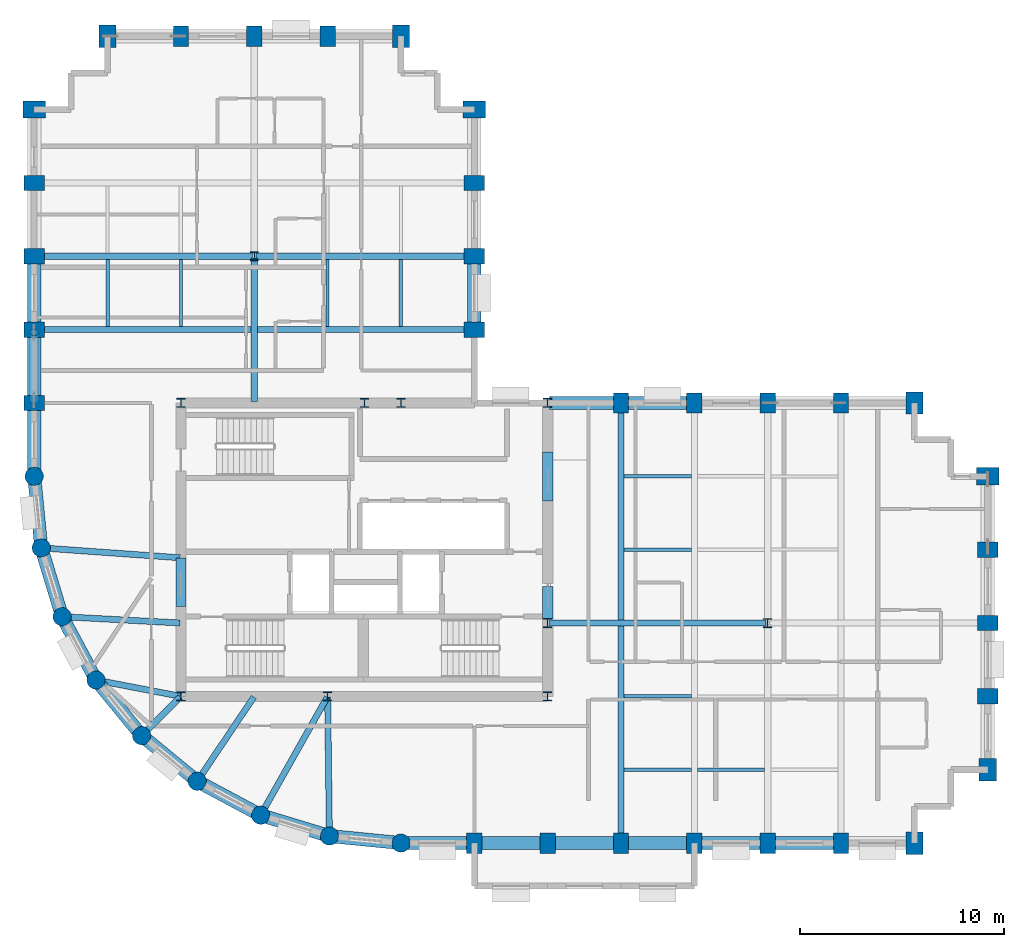
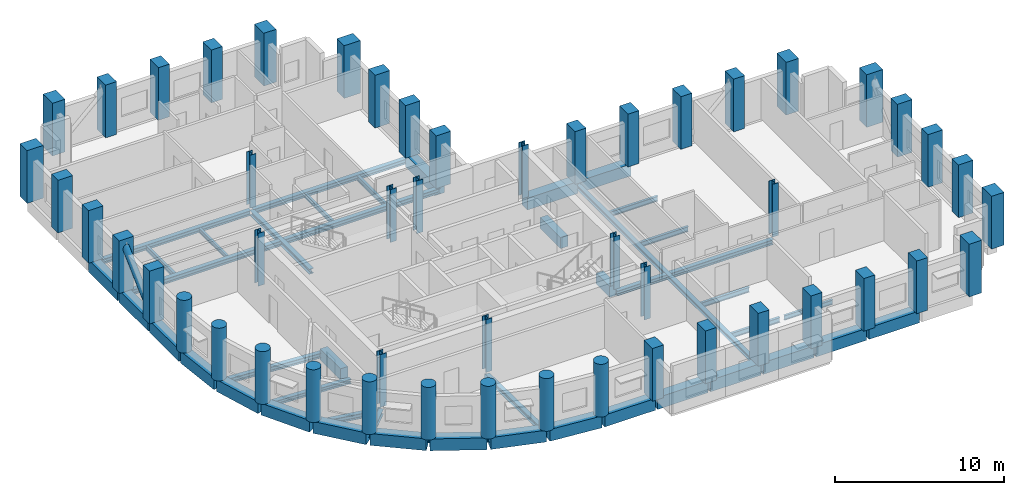
# One storey, part 1 of 11: 50 columns, 45 beams, 1 member.
"""IFC4 building model written with IfcOpenShell, lengths in metres."""

import ifcopenshell
import ifcopenshell.guid

model = None  # the IFC model being written
_history = None  # IfcOwnerHistory: only IFC2X3 demands one
_inside = {}  # id of a spatial element -> (the spatial element, [elements in it])
_under = {}  # id of a project, library or spatial element -> (it, [spatial elements below it])
_declared = {}  # id of a project -> (the project, [libraries it declares])
_typed = {}  # id of a type object -> (the type object, [elements of that type])
_made_of = {}  # id of a material, layer set ... -> (it, [elements and type objects made of it])


def new_model(schema):
    """Start an empty IFC model of exactly this schema.

    Asked for "IFC4X3", IfcOpenShell would pick the latest addendum, in which some entities
    have other attributes; the version numbers below select the first issue.
    IFC2X3 requires an IfcOwnerHistory on every rooted entity: one is made here for all.
    """
    global model, _history
    if schema == "IFC4X3":
        model = ifcopenshell.file(schema_version=(4, 3, 0, 0))
    else:
        model = ifcopenshell.file(schema=schema)
    _inside.clear()
    _under.clear()
    _declared.clear()
    _typed.clear()
    _made_of.clear()
    _history = None
    if model.schema == "IFC2X3":
        org = make("IfcOrganization", Name="unknown")
        user = make(
            "IfcPersonAndOrganization",
            ThePerson=make("IfcPerson", FamilyName="unknown"),
            TheOrganization=org,
        )
        app = make(
            "IfcApplication",
            ApplicationDeveloper=org,
            Version="unknown",
            ApplicationFullName="unknown",
            ApplicationIdentifier="unknown",
        )
        _history = make(
            "IfcOwnerHistory",
            OwningUser=user,
            OwningApplication=app,
            ChangeAction="ADDED",
            CreationDate=0,
        )
    return model


def make(cls, **values):
    """One entity of the class cls with the attributes given. An attribute that is None is left unset."""
    return model.create_entity(
        cls, **{name: value for name, value in values.items() if value is not None}
    )


def rooted(cls, **values):
    """An entity with a GlobalId (a new one), such as an element, a storey or a relation."""
    return make(cls, GlobalId=ifcopenshell.guid.new(), OwnerHistory=_history, **values)


def si_unit(unit_type, name, prefix=None):
    """IfcSIUnit, for example si_unit("LENGTHUNIT", "METRE", prefix="MILLI")."""
    return make("IfcSIUnit", UnitType=unit_type, Prefix=prefix, Name=name)


def assignment(units):
    """IfcUnitAssignment: the units of a project."""
    return None if units is None else make("IfcUnitAssignment", Units=units)


def point(xyz):
    """IfcCartesianPoint."""
    return None if xyz is None else make("IfcCartesianPoint", Coordinates=xyz)


def direction(xyz):
    """IfcDirection."""
    return None if xyz is None else make("IfcDirection", DirectionRatios=xyz)


def frame(location, z_axis=None, x_axis=None):
    """IfcAxis2Placement3D, a coordinate frame: its origin and axes. An axis left out is left unset."""
    return make(
        "IfcAxis2Placement3D",
        Location=point(location),
        Axis=direction(z_axis),
        RefDirection=direction(x_axis),
    )


def frame_2d(location, x_axis=None):
    """IfcAxis2Placement2D, a coordinate frame in the plane: its origin and x axis."""
    return make(
        "IfcAxis2Placement2D", Location=point(location), RefDirection=direction(x_axis)
    )


def origin():
    """The frame at (0, 0, 0) with its axes left unset."""
    return frame((0.0, 0.0, 0.0))


def origin_2d():
    """The frame at (0, 0) in the plane with its x axis left unset."""
    return frame_2d((0.0, 0.0))


def place(relative_to, where):
    """IfcLocalPlacement: puts the frame where relative to a parent placement (None: the world)."""
    return make(
        "IfcLocalPlacement", PlacementRelTo=relative_to, RelativePlacement=where
    )


def context(
    kind, dimensions, precision=None, world=None, true_north=None, identifier=None
):
    """IfcGeometricRepresentationContext, for example the 3D "Model" context."""
    return make(
        "IfcGeometricRepresentationContext",
        ContextIdentifier=identifier,
        ContextType=kind,
        CoordinateSpaceDimension=dimensions,
        Precision=precision,
        WorldCoordinateSystem=world,
        TrueNorth=true_north,
    )


def subcontext(parent, identifier, kind, view, scale=None):
    """IfcGeometricRepresentationSubContext, for example "Body" below "Model"."""
    return make(
        "IfcGeometricRepresentationSubContext",
        ContextIdentifier=identifier,
        ContextType=kind,
        ParentContext=parent,
        TargetScale=scale,
        TargetView=view,
    )


def project(units=None, contexts=None):
    """IfcProject with its units and contexts."""
    return rooted(
        "IfcProject",
        Name="project",
        RepresentationContexts=contexts,
        UnitsInContext=assignment(units),
    )


def spatial(cls, under=None, at=None, **own):
    """A site, building, storey or space (cls), placed at a placement, below another one or the project."""
    s = rooted(cls, ObjectPlacement=at, **own)
    if under is not None:
        _under.setdefault(under.id(), (under, []))[1].append(s)
    return s


def profile(cls, at=None, kind="AREA", **sizes):
    """A parametric profile (cls). Its sizes go by their IFC names, for example OverallWidth=200.0."""
    return make(cls, ProfileType=kind, Position=at, **sizes)


def rectangle(**sizes):
    """IfcRectangleProfileDef."""
    return profile("IfcRectangleProfileDef", **sizes)


def circle(**sizes):
    """IfcCircleProfileDef."""
    return profile("IfcCircleProfileDef", **sizes)


def hollow_circle(**sizes):
    """IfcCircleHollowProfileDef."""
    return profile("IfcCircleHollowProfileDef", **sizes)


def i_section(**sizes):
    """IfcIShapeProfileDef."""
    return profile("IfcIShapeProfileDef", **sizes)


def extrude(swept, where, along, depth):
    """IfcExtrudedAreaSolid: the profile swept, set in the frame where, extruded along a direction by depth."""
    return make(
        "IfcExtrudedAreaSolid",
        SweptArea=swept,
        Position=where,
        ExtrudedDirection=direction(along),
        Depth=depth,
    )


def shape(context_of_items, identifier, shape_type, items):
    """IfcShapeRepresentation: the items that make up one representation, for example the "Body"."""
    return make(
        "IfcShapeRepresentation",
        ContextOfItems=context_of_items,
        RepresentationIdentifier=identifier,
        RepresentationType=shape_type,
        Items=items,
    )


def material(Name=None, Category=None):
    """IfcMaterial."""
    return make("IfcMaterial", Name=Name, Category=Category)


def material_profile(
    of_material, cross_section, Name=None, Category=None, Priority=None
):
    """IfcMaterialProfile: a cross section and its material."""
    return make(
        "IfcMaterialProfile",
        Name=Name,
        Material=of_material,
        Profile=cross_section,
        Priority=Priority,
        Category=Category,
    )


def profile_set(profiles, Name=None, composite=None):
    """IfcMaterialProfileSet."""
    return make(
        "IfcMaterialProfileSet",
        Name=Name,
        MaterialProfiles=profiles,
        CompositeProfile=composite,
    )


def made_of(thing, what):
    """Note that an element or type object is made of a material, layer set ...; save() writes the relation."""
    if what is not None:
        _made_of.setdefault(what.id(), (what, []))[1].append(thing)
    return thing


def type_object(cls, material=None, **own):
    """A type object (cls), such as IfcWallType, which elements share."""
    return made_of(rooted(cls, **own), material)


def element(
    cls,
    number,
    at=None,
    inside=None,
    cuts=None,
    type_object=None,
    material=None,
    context=None,
    identifier="Body",
    shape_type=None,
    held_by="IfcProductDefinitionShape",
    body=None,
    shapes=None,
    **own,
):
    """One element of the class cls, such as IfcWall. Its Tag is "e" and its number.

    at: its placement. inside: the storey or other place that contains it. cuts: it is an
    opening in that element (IfcRelVoidsElement). A single representation is given by context,
    identifier, shape_type and body (its items); several are given by shapes. held_by: the class
    of the entity that holds the representations. save() writes the other relations.
    """
    e = rooted(cls, Tag="e%d" % number, ObjectPlacement=at, **own)
    if body is not None:
        shapes = [shape(context, identifier, shape_type, body)]
    if shapes is not None:
        e.Representation = make(held_by, Representations=shapes)
    if inside is not None:
        _inside.setdefault(inside.id(), (inside, []))[1].append(e)
    if cuts is not None:
        rooted(
            "IfcRelVoidsElement", RelatingBuildingElement=cuts, RelatedOpeningElement=e
        )
    if type_object is not None:
        _typed.setdefault(type_object.id(), (type_object, []))[1].append(e)
    return made_of(e, material)


def aggregate(whole, parts):
    """IfcRelAggregates: a whole, such as a stair, and the parts it consists of."""
    return rooted("IfcRelAggregates", RelatingObject=whole, RelatedObjects=parts)


def save(model, path):
    """Write the relations noted so far, then the file.

    IfcRelAggregates (storeys below a building ...), IfcRelContainedInSpatialStructure (elements
    in a storey), IfcRelDefinesByType, IfcRelAssociatesMaterial and IfcRelDeclares: one each for
    every whole, place, type object, material and project.
    """
    for whole, parts in _under.values():
        aggregate(whole, parts)
    for where, things in _inside.values():
        rooted(
            "IfcRelContainedInSpatialStructure",
            RelatedElements=things,
            RelatingStructure=where,
        )
    for kind, things in _typed.values():
        rooted("IfcRelDefinesByType", RelatedObjects=things, RelatingType=kind)
    for what, things in _made_of.values():
        rooted("IfcRelAssociatesMaterial", RelatedObjects=things, RelatingMaterial=what)
    for by, libraries in _declared.values():
        rooted("IfcRelDeclares", RelatingContext=by, RelatedDefinitions=libraries)
    model.write(path)


model = new_model("IFC4")

# Units and contexts
model_context = context("Model", 3, precision=1e-05, world=origin(), true_north=direction((0.0, 1.0)))
body_context = subcontext(model_context, "Body", "Model", "MODEL_VIEW")
ifc_project = project(units=[si_unit("LENGTHUNIT", "METRE"), si_unit("AREAUNIT", "SQUARE_METRE"), si_unit("VOLUMEUNIT", "CUBIC_METRE"), si_unit("PLANEANGLEUNIT", "RADIAN"), si_unit("MASSUNIT", "GRAM", prefix="KILO")], contexts=[model_context])

# Site, building, storey
site_placement = place(None, origin())
site = spatial("IfcSite", under=ifc_project, at=site_placement, CompositionType="ELEMENT")
building_placement = place(site_placement, origin())
building = spatial("IfcBuilding", under=site, at=building_placement, Name="Solnavia Interchange Tower", CompositionType="ELEMENT")
storey_placement = place(building_placement, frame((0.0, 0.0, 165.60009765625)))
storey = spatial("IfcBuildingStorey", under=building, at=storey_placement, Name="L41", CompositionType="ELEMENT", Elevation=165.60009765625)

# Columns
ifc_material_1 = material(Name="Concrete C50/60", Category="concrete")
ifc_material_profile_1 = material_profile(ifc_material_1, rectangle(XDim=0.75, YDim=1.0, at=origin_2d()), Name="RC 1000x750")
ifc_profile_set_1 = profile_set([ifc_material_profile_1], Name="Concrete C50/60")
column_type_1 = type_object("IfcColumnType", Name="Col-RC-1000x750", PredefinedType="COLUMN", material=ifc_profile_set_1)
for number, where, z_axis, x_axis, name in (
    (1, (7.199951171875, 25.199951171875, 0.0), (0.0, 0.0, 1.0), (0.0, 1.0, 0.0), "COL-L41-02 Tower perim y column"),
    (2, (7.199951171875, 28.800048828125, 0.0), (0.0, 0.0, 1.0), (0.0, 1.0, 0.0), "COL-L41-03 Tower perim y column"),
    (3, (7.199951171875, 32.39990234375, 0.0), (0.0, 0.0, 1.0), (0.0, 1.0, 0.0), "COL-L41-04 Tower perim y column"),
    (4, (7.199951171875, 36.0, 0.0), (0.0, 0.0, 1.0), (0.0, 1.0, 0.0), "COL-L41-05 Tower perim y column"),
    (5, (14.39990234375, 43.199951171875, 0.0), (0.0, 0.0, 1.0), (1.0, 0.0, 0.0), "COL-L41-14 Tower perim x column"),
    (6, (18.0, 43.199951171875, 0.0), (0.0, 0.0, 1.0), (1.0, 0.0, 0.0), "COL-L41-17 Tower perim x column"),
    (7, (21.60009765625, 43.199951171875, 0.0), (0.0, 0.0, 1.0), (1.0, 0.0, 0.0), "COL-L41-20 Tower perim x column"),
    (8, (28.800048828125, 3.60009765625, 0.0), (0.0, 0.0, 1.0), (1.0, 0.0, 0.0), "COL-L41-26 Tower perim x column"),
    (9, (28.800048828125, 28.800048828125, 0.0), (0.0, 0.0, 1.0), (0.0, 1.0, 0.0), "COL-L41-27 Tower perim y column"),
    (10, (28.800048828125, 32.39990234375, 0.0), (0.0, 0.0, 1.0), (0.0, 1.0, 0.0), "COL-L41-28 Tower perim y column"),
    (11, (28.800048828125, 36.0, 0.0), (0.0, 0.0, 1.0), (0.0, 1.0, 0.0), "COL-L41-29 Tower perim y column"),
    (12, (32.39990234375, 3.60009765625, 0.0), (0.0, 0.0, 1.0), (1.0, 0.0, 0.0), "COL-L41-31 Tower perim x column"),
    (13, (36.0, 3.60009765625, 0.0), (0.0, 0.0, 1.0), (1.0, 0.0, 0.0), "COL-L41-35 Tower perim x column"),
    (14, (36.0, 25.199951171875, 0.0), (0.0, 0.0, 1.0), (1.0, 0.0, 0.0), "COL-L41-36 Tower perim x column"),
    (15, (39.60009765625, 3.60009765625, 0.0), (0.0, 0.0, 1.0), (1.0, 0.0, 0.0), "COL-L41-37 Tower perim x column"),
    (16, (39.60009765625, 25.199951171875, 0.0), (0.0, 0.0, 1.0), (1.0, 0.0, 0.0), "COL-L41-38 Tower perim x column"),
    (17, (43.199951171875, 3.60009765625, 0.0), (0.0, 0.0, 1.0), (1.0, 0.0, 0.0), "COL-L41-39 Tower perim x column"),
    (18, (43.199951171875, 25.199951171875, 0.0), (0.0, 0.0, 1.0), (1.0, 0.0, 0.0), "COL-L41-41 Tower perim x column"),
    (19, (46.800048828125, 3.60009765625, 0.0), (0.0, 0.0, 1.0), (1.0, 0.0, 0.0), "COL-L41-42 Tower perim x column"),
    (20, (46.800048828125, 25.199951171875, 0.0), (0.0, 0.0, 1.0), (1.0, 0.0, 0.0), "COL-L41-43 Tower perim x column"),
    (21, (54.0, 10.800048828125, 0.0), (0.0, 0.0, 1.0), (0.0, 1.0, 0.0), "COL-L41-47 Tower perim y column"),
    (22, (54.0, 14.39990234375, 0.0), (0.0, 0.0, 1.0), (0.0, 1.0, 0.0), "COL-L41-48 Tower perim y column"),
    (23, (54.0, 18.0, 0.0), (0.0, 0.0, 1.0), (0.0, 1.0, 0.0), "COL-L41-49 Tower perim y column"),
):
    element("IfcColumn", number, at=place(storey_placement, frame(where, z_axis=z_axis, x_axis=x_axis)), inside=storey, type_object=column_type_1, Name=name, PredefinedType="COLUMN", context=body_context, shape_type="SweptSolid", body=[
        extrude(rectangle(XDim=0.75, YDim=1.0, at=origin_2d()), origin(), (0.0, 0.0, 1.0), 3.7998046875),
    ])
ifc_material_profile_2 = material_profile(ifc_material_1, rectangle(XDim=0.85009765625, YDim=1.10009765625, at=origin_2d()), Name="RC 1100x850")
ifc_profile_set_2 = profile_set([ifc_material_profile_2], Name="Concrete C50/60")
column_type_2 = type_object("IfcColumnType", Name="Col-RC-1100x850", PredefinedType="COLUMN", material=ifc_profile_set_2)
for number, where, z_axis, x_axis, name in (
    (24, (7.199951171875, 39.60009765625, 0.0), (0.0, 0.0, 1.0), (0.0, 1.0, 0.0), "COL-L41-06 Tower corner column"),
    (25, (10.800048828125, 43.199951171875, 0.0), (0.0, 0.0, 1.0), (1.0, 0.0, 0.0), "COL-L41-10 Tower corner column"),
    (26, (25.199951171875, 43.199951171875, 0.0), (0.0, 0.0, 1.0), (1.0, 0.0, 0.0), "COL-L41-25 Tower corner column"),
    (27, (28.800048828125, 39.60009765625, 0.0), (0.0, 0.0, 1.0), (0.0, 1.0, 0.0), "COL-L41-30 Tower corner column"),
    (28, (50.39990234375, 3.60009765625, 0.0), (0.0, 0.0, 1.0), (1.0, 0.0, 0.0), "COL-L41-44 Tower corner column"),
    (29, (50.39990234375, 25.199951171875, 0.0), (0.0, 0.0, 1.0), (1.0, 0.0, 0.0), "COL-L41-45 Tower corner column"),
    (30, (54.0, 7.199951171875, 0.0), (0.0, 0.0, 1.0), (1.0, 0.0, 0.0), "COL-L41-46 Tower corner column"),
    (31, (54.0, 21.60009765625, 0.0), (0.0, 0.0, 1.0), (0.0, 1.0, 0.0), "COL-L41-50 Tower corner column"),
):
    element("IfcColumn", number, at=place(storey_placement, frame(where, z_axis=z_axis, x_axis=x_axis)), inside=storey, type_object=column_type_2, Name=name, PredefinedType="COLUMN", context=body_context, shape_type="SweptSolid", body=[
        extrude(rectangle(XDim=0.85009765625, YDim=1.10009765625, at=origin_2d()), origin(), (0.0, 0.0, 1.0), 3.7998046875),
    ])
ifc_material_profile_3 = material_profile(ifc_material_1, circle(Radius=0.449951171875, at=origin_2d()), Name="RC D900")
ifc_profile_set_3 = profile_set([ifc_material_profile_3], Name="Concrete C50/60")
column_type_3 = type_object("IfcColumnType", Name="Col-RC-D900", PredefinedType="COLUMN", material=ifc_profile_set_3)
for number, where, z_axis, x_axis, name in (
    (32, (7.199951171875, 21.60009765625, 0.0), (0.0, 0.0, 1.0), (1.0, 0.0, 0.0), "COL-L41-01 Tower drum column"),
    (33, (7.5458984375, 18.087890625, 0.0), (0.0, 0.0, 1.0), (1.0, 0.0, 0.0), "COL-L41-07 Tower drum column"),
    (34, (8.570068359375, 14.7119140625, 0.0), (0.0, 0.0, 1.0), (1.0, 0.0, 0.0), "COL-L41-08 Tower drum column"),
    (35, (10.23388671875, 11.60009765625, 0.0), (0.0, 0.0, 1.0), (1.0, 0.0, 0.0), "COL-L41-09 Tower drum column"),
    (36, (12.471923828125, 8.8720703125, 0.0), (0.0, 0.0, 1.0), (1.0, 0.0, 0.0), "COL-L41-11 Tower drum column"),
    (37, (15.199951171875, 6.634033203125, 0.0), (0.0, 0.0, 1.0), (1.0, 0.0, 0.0), "COL-L41-15 Tower drum column"),
    (38, (18.31201171875, 4.969970703125, 0.0), (0.0, 0.0, 1.0), (1.0, 0.0, 0.0), "COL-L41-18 Tower drum column"),
    (39, (21.68798828125, 3.946044921875, 0.0), (0.0, 0.0, 1.0), (1.0, 0.0, 0.0), "COL-L41-21 Tower drum column"),
    (40, (25.199951171875, 3.60009765625, 0.0), (0.0, 0.0, 1.0), (1.0, 0.0, 0.0), "COL-L41-23 Tower drum column"),
):
    element("IfcColumn", number, at=place(storey_placement, frame(where, z_axis=z_axis, x_axis=x_axis)), inside=storey, type_object=column_type_3, Name=name, PredefinedType="COLUMN", context=body_context, shape_type="SweptSolid", body=[
        extrude(circle(Radius=0.449951171875, at=origin_2d()), origin(), (0.0, 0.0, 1.0), 3.7998046875),
    ])
ifc_material_2 = material(Name="Steel S355", Category="steel")
ifc_material_profile_4 = material_profile(ifc_material_2, i_section(OverallWidth=0.416015625, OverallDepth=0.44189453125, WebThickness=0.02490234375, FlangeThickness=0.041015625, FilletRadius=0.014892578125, at=origin_2d()), Name="HD 400x382")
ifc_profile_set_4 = profile_set([ifc_material_profile_4], Name="Steel S355")
column_type_4 = type_object("IfcColumnType", Name="Col-Steel-HD400x382", PredefinedType="COLUMN", material=ifc_profile_set_4)
for number, where, z_axis, x_axis, name in (
    (41, (14.39990234375, 10.800048828125, 0.0), (0.0, 0.0, 1.0), (1.0, 0.0, 0.0), "COL-L41-12 Tower interior column"),
    (42, (14.39990234375, 25.199951171875, 0.0), (0.0, 0.0, 1.0), (1.0, 0.0, 0.0), "COL-L41-13 Tower interior column"),
    (43, (18.0, 32.39990234375, 0.0), (0.0, 0.0, 1.0), (1.0, 0.0, 0.0), "COL-L41-16 Tower interior column"),
    (44, (21.60009765625, 10.800048828125, 0.0), (0.0, 0.0, 1.0), (1.0, 0.0, 0.0), "COL-L41-19 Tower interior column"),
    (45, (23.39990234375, 25.199951171875, 0.0), (0.0, 0.0, 1.0), (1.0, 0.0, 0.0), "COL-L41-22 Tower interior column"),
    (46, (25.199951171875, 25.199951171875, 0.0), (0.0, 0.0, 1.0), (1.0, 0.0, 0.0), "COL-L41-24 Tower interior column"),
    (47, (32.39990234375, 10.800048828125, 0.0), (0.0, 0.0, 1.0), (1.0, 0.0, 0.0), "COL-L41-32 Tower interior column"),
    (48, (32.39990234375, 14.39990234375, 0.0), (0.0, 0.0, 1.0), (1.0, 0.0, 0.0), "COL-L41-33 Tower interior column"),
    (49, (32.39990234375, 25.199951171875, 0.0), (0.0, 0.0, 1.0), (1.0, 0.0, 0.0), "COL-L41-34 Tower interior column"),
    (50, (43.199951171875, 14.39990234375, 0.0), (0.0, 0.0, 1.0), (1.0, 0.0, 0.0), "COL-L41-40 Tower interior column"),
):
    element("IfcColumn", number, at=place(storey_placement, frame(where, z_axis=z_axis, x_axis=x_axis)), inside=storey, type_object=column_type_4, Name=name, PredefinedType="COLUMN", context=body_context, shape_type="SweptSolid", body=[
        extrude(i_section(OverallWidth=0.416015625, OverallDepth=0.44189453125, WebThickness=0.02490234375, FlangeThickness=0.041015625, FilletRadius=0.014892578125, at=origin_2d()), origin(), (0.0, 0.0, 1.0), 3.7998046875),
    ])

# Beams
ifc_material_profile_5 = material_profile(ifc_material_1, rectangle(XDim=0.5, YDim=0.800048828125, at=origin_2d()), Name="RC 500x800")
ifc_profile_set_5 = profile_set([ifc_material_profile_5], Name="Concrete C50/60")
beam_type_1 = type_object("IfcBeamType", Name="Beam-Coupling-RC500x800", PredefinedType="LINTEL", material=ifc_profile_set_5)
beam_1_placement = place(storey_placement, frame((14.39990234375, 15.199951171875, -0.400146484375), z_axis=(0.0, 1.0, 0.0), x_axis=(-1.0, 0.0, 0.0)))
element("IfcBeam", 51, at=beam_1_placement, inside=storey, type_object=beam_type_1, Name="CPB-L41-W1 Core coupling lintel beam", PredefinedType="LINTEL", context=body_context, shape_type="SweptSolid", body=[
    extrude(rectangle(XDim=0.5, YDim=0.800048828125, at=origin_2d()), origin(), (0.0, 0.0, 1.0), 2.400146484375),
])
beam_2_placement = place(storey_placement, frame((32.39990234375, 14.60009765625, -0.400146484375), z_axis=(0.0, 1.0, 0.0), x_axis=(-1.0, 0.0, 0.0)))
element("IfcBeam", 52, at=beam_2_placement, inside=storey, type_object=beam_type_1, Name="CPB-L41-E1 Core coupling lintel beam", PredefinedType="LINTEL", context=body_context, shape_type="SweptSolid", body=[
    extrude(rectangle(XDim=0.5, YDim=0.800048828125, at=origin_2d()), origin(), (0.0, 0.0, 1.0), 1.599853515625),
])
beam_3_placement = place(storey_placement, frame((32.39990234375, 20.39990234375, -0.400146484375), z_axis=(0.0, 1.0, 0.0), x_axis=(-1.0, 0.0, 0.0)))
element("IfcBeam", 53, at=beam_3_placement, inside=storey, type_object=beam_type_1, Name="CPB-L41-E2 Core coupling lintel beam", PredefinedType="LINTEL", context=body_context, shape_type="SweptSolid", body=[
    extrude(rectangle(XDim=0.5, YDim=0.800048828125, at=origin_2d()), origin(), (0.0, 0.0, 1.0), 2.400146484375),
])
ifc_material_3 = material(Name="Steel S460", Category="steel")
ifc_material_profile_6 = material_profile(ifc_material_3, i_section(OverallWidth=0.300048828125, OverallDepth=0.360107421875, WebThickness=0.012451171875, FlangeThickness=0.0224609375, FilletRadius=0.027099609375, at=origin_2d()), Name="HEB 360")
ifc_profile_set_6 = profile_set([ifc_material_profile_6], Name="Steel S460")
beam_type_2 = type_object("IfcBeamType", Name="Beam-Girder-HEB360", PredefinedType="BEAM", material=ifc_profile_set_6)
beam_4_placement = place(storey_placement, frame((32.47998046875, 14.39990234375, -0.43017578125), z_axis=(1.0, 0.0, 0.0), x_axis=(0.0, 1.0, 0.0)))
element("IfcBeam", 54, at=beam_4_placement, inside=storey, type_object=beam_type_2, Name="GRD-L41-ES01 East wing spine girder", PredefinedType="BEAM", context=body_context, shape_type="SweptSolid", body=[
    extrude(i_section(OverallWidth=0.300048828125, OverallDepth=0.360107421875, WebThickness=0.012451171875, FlangeThickness=0.0224609375, FilletRadius=0.027099609375, at=origin_2d()), origin(), (0.0, 0.0, 1.0), 10.64013671875),
])
beam_5_placement = place(storey_placement, frame((18.0, 25.280029296875, -0.43017578125), z_axis=(0.0, 1.0, 0.0), x_axis=(-1.0, 0.0, 0.0)))
element("IfcBeam", 55, at=beam_5_placement, inside=storey, type_object=beam_type_2, Name="GRD-L41-NS08 North wing spine girder", PredefinedType="BEAM", context=body_context, shape_type="SweptSolid", body=[
    extrude(i_section(OverallWidth=0.300048828125, OverallDepth=0.360107421875, WebThickness=0.012451171875, FlangeThickness=0.0224609375, FilletRadius=0.027099609375, at=origin_2d()), origin(), (0.0, 0.0, 1.0), 7.0400390625),
])
beam_6_placement = place(storey_placement, frame((7.280029296875, 28.800048828125, -0.43017578125), z_axis=(1.0, 0.0, 0.0), x_axis=(0.0, 1.0, 0.0)))
element("IfcBeam", 56, at=beam_6_placement, inside=storey, type_object=beam_type_2, Name="GRD-L41-NW10 North wing primary floor girder", PredefinedType="BEAM", context=body_context, shape_type="SweptSolid", body=[
    extrude(i_section(OverallWidth=0.300048828125, OverallDepth=0.360107421875, WebThickness=0.012451171875, FlangeThickness=0.0224609375, FilletRadius=0.027099609375, at=origin_2d()), origin(), (0.0, 0.0, 1.0), 21.43994140625),
])
beam_7_placement = place(storey_placement, frame((10.3125, 11.5849609375, -0.43017578125), z_axis=(0.982057527796, -0.188581579428, 0.0), x_axis=(0.188581579428, 0.982057527796, 0.0)))
element("IfcBeam", 57, at=beam_7_placement, inside=storey, type_object=beam_type_2, Name="GRD-L41-DR16 Drum radial floor girder", PredefinedType="BEAM", context=body_context, shape_type="SweptSolid", body=[
    extrude(i_section(OverallWidth=0.300048828125, OverallDepth=0.360107421875, WebThickness=0.012451171875, FlangeThickness=0.0224609375, FilletRadius=0.027099609375, at=origin_2d()), origin(), (0.0, 0.0, 1.0), 4.1220703125),
])
beam_8_placement = place(storey_placement, frame((18.351318359375, 5.039794921875, -0.43017578125), z_axis=(0.491243158486, 0.871022479182, 0.0), x_axis=(-0.871022479182, 0.491243158486, 0.0)))
element("IfcBeam", 58, at=beam_8_placement, inside=storey, type_object=beam_type_2, Name="GRD-L41-DR19 Drum radial floor girder", PredefinedType="BEAM", context=body_context, shape_type="SweptSolid", body=[
    extrude(i_section(OverallWidth=0.300048828125, OverallDepth=0.360107421875, WebThickness=0.012451171875, FlangeThickness=0.0224609375, FilletRadius=0.027099609375, at=origin_2d()), origin(), (0.0, 0.0, 1.0), 6.5732421875),
])
ifc_material_profile_7 = material_profile(ifc_material_2, i_section(OverallWidth=0.14990234375, OverallDepth=0.300048828125, WebThickness=0.007080078125, FlangeThickness=0.0107421875, FilletRadius=0.014892578125, at=origin_2d()), Name="IPE 300")
ifc_profile_set_7 = profile_set([ifc_material_profile_7], Name="Steel S355")
beam_type_3 = type_object("IfcBeamType", Name="Beam-Joist-IPE300", PredefinedType="JOIST", material=ifc_profile_set_7)
beam_9_placement = place(storey_placement, frame((14.39990234375, 28.949951171875, -0.400146484375), z_axis=(0.0, 1.0, 0.0), x_axis=(-1.0, 0.0, 0.0)))
element("IfcBeam", 59, at=beam_9_placement, inside=storey, type_object=beam_type_3, Name="JST-L41-N15 North wing secondary joist", PredefinedType="JOIST", context=body_context, shape_type="SweptSolid", body=[
    extrude(i_section(OverallWidth=0.14990234375, OverallDepth=0.300048828125, WebThickness=0.007080078125, FlangeThickness=0.0107421875, FilletRadius=0.014892578125, at=origin_2d()), origin(), (0.0, 0.0, 1.0), 3.300048828125),
])
ifc_material_profile_8 = material_profile(ifc_material_2, i_section(OverallWidth=0.159912109375, OverallDepth=0.330078125, WebThickness=0.007568359375, FlangeThickness=0.011474609375, FilletRadius=0.01806640625, at=origin_2d()), Name="IPE 330")
ifc_profile_set_8 = profile_set([ifc_material_profile_8], Name="Steel S355")
beam_type_4 = type_object("IfcBeamType", Name="Beam-Joist-IPE330", PredefinedType="JOIST", material=ifc_profile_set_8)
for number, where, z_axis, x_axis, name in (
    (60, (39.75, 7.199951171875, -0.4150390625), (1.0, 0.0, 0.0), (0.0, 1.0, 0.0), "JST-L41-E02 East wing secondary joist"),
    (61, (21.60009765625, 28.949951171875, -0.4150390625), (0.0, 1.0, 0.0), (-1.0, 0.0, 0.0), "JST-L41-N17 North wing secondary joist"),
):
    element("IfcBeam", number, at=place(storey_placement, frame(where, z_axis=z_axis, x_axis=x_axis)), inside=storey, type_object=beam_type_4, Name=name, PredefinedType="JOIST", context=body_context, shape_type="SweptSolid", body=[
        extrude(i_section(OverallWidth=0.159912109375, OverallDepth=0.330078125, WebThickness=0.007568359375, FlangeThickness=0.011474609375, FilletRadius=0.01806640625, at=origin_2d()), origin(), (0.0, 0.0, 1.0), 3.300048828125),
    ])
ifc_material_profile_9 = material_profile(ifc_material_2, i_section(OverallWidth=0.169921875, OverallDepth=0.360107421875, WebThickness=0.008056640625, FlangeThickness=0.0126953125, FilletRadius=0.01806640625, at=origin_2d()), Name="IPE 360")
ifc_profile_set_9 = profile_set([ifc_material_profile_9], Name="Steel S355")
beam_type_5 = type_object("IfcBeamType", Name="Beam-Joist-IPE360", PredefinedType="JOIST", material=ifc_profile_set_9)
for number, where, z_axis, x_axis, name in (
    (62, (36.14990234375, 7.199951171875, -0.43017578125), (1.0, 0.0, 0.0), (0.0, 1.0, 0.0), "JST-L41-E01 East wing secondary joist"),
    (63, (36.14990234375, 10.800048828125, -0.43017578125), (1.0, 0.0, 0.0), (0.0, 1.0, 0.0), "JST-L41-E04 East wing secondary joist"),
    (64, (36.14990234375, 18.0, -0.43017578125), (1.0, 0.0, 0.0), (0.0, 1.0, 0.0), "JST-L41-E07 East wing secondary joist"),
    (65, (36.14990234375, 21.60009765625, -0.43017578125), (1.0, 0.0, 0.0), (0.0, 1.0, 0.0), "JST-L41-E10 East wing secondary joist"),
    (66, (10.800048828125, 28.949951171875, -0.43017578125), (0.0, 1.0, 0.0), (-1.0, 0.0, 0.0), "JST-L41-N13 North wing secondary joist"),
    (67, (25.199951171875, 28.949951171875, -0.43017578125), (0.0, 1.0, 0.0), (-1.0, 0.0, 0.0), "JST-L41-N19 North wing secondary joist"),
):
    element("IfcBeam", number, at=place(storey_placement, frame(where, z_axis=z_axis, x_axis=x_axis)), inside=storey, type_object=beam_type_5, Name=name, PredefinedType="JOIST", context=body_context, shape_type="SweptSolid", body=[
        extrude(i_section(OverallWidth=0.169921875, OverallDepth=0.360107421875, WebThickness=0.008056640625, FlangeThickness=0.0126953125, FilletRadius=0.01806640625, at=origin_2d()), origin(), (0.0, 0.0, 1.0), 3.300048828125),
    ])
ifc_material_profile_10 = material_profile(ifc_material_2, i_section(OverallWidth=0.300048828125, OverallDepth=0.31005859375, WebThickness=0.009033203125, FlangeThickness=0.015380859375, FilletRadius=0.027099609375, at=origin_2d()), Name="HEA 320")
ifc_profile_set_10 = profile_set([ifc_material_profile_10], Name="Steel S355")
beam_type_6 = type_object("IfcBeamType", Name="Beam-Primary-HEA320", PredefinedType="BEAM", material=ifc_profile_set_10)
beam_10_placement = place(storey_placement, frame((36.0, 3.679931640625, -0.405029296875), z_axis=(0.0, 1.0, 0.0), x_axis=(-1.0, 0.0, 0.0)))
element("IfcBeam", 68, at=beam_10_placement, inside=storey, type_object=beam_type_6, Name="GRD-L41-EW03 East wing primary floor girder", PredefinedType="BEAM", context=body_context, shape_type="SweptSolid", body=[
    extrude(i_section(OverallWidth=0.300048828125, OverallDepth=0.31005859375, WebThickness=0.009033203125, FlangeThickness=0.015380859375, FilletRadius=0.027099609375, at=origin_2d()), origin(), (0.0, 0.0, 1.0), 21.440185546875),
])
beam_11_placement = place(storey_placement, frame((8.64990234375, 14.707763671875, -0.405029296875), z_axis=(0.998570371303, -0.053452909696, 0.0), x_axis=(0.053452909696, 0.998570371303, 0.0)))
element("IfcBeam", 69, at=beam_11_placement, inside=storey, type_object=beam_type_6, Name="GRD-L41-DR15 Drum radial floor girder", PredefinedType="BEAM", context=body_context, shape_type="SweptSolid", body=[
    extrude(i_section(OverallWidth=0.300048828125, OverallDepth=0.31005859375, WebThickness=0.009033203125, FlangeThickness=0.015380859375, FilletRadius=0.027099609375, at=origin_2d()), origin(), (0.0, 0.0, 1.0), 5.71826171875),
])
beam_12_placement = place(storey_placement, frame((15.24462890625, 6.700439453125, -0.405029296875), z_axis=(0.557835474219, 0.829951555033, 0.0), x_axis=(-0.829951555033, 0.557835474219, 0.0)))
element("IfcBeam", 70, at=beam_12_placement, inside=storey, type_object=beam_type_6, Name="GRD-L41-DR18 Drum radial floor girder", PredefinedType="BEAM", context=body_context, shape_type="SweptSolid", body=[
    extrude(i_section(OverallWidth=0.300048828125, OverallDepth=0.31005859375, WebThickness=0.009033203125, FlangeThickness=0.015380859375, FilletRadius=0.027099609375, at=origin_2d()), origin(), (0.0, 0.0, 1.0), 4.899658203125),
])
ifc_material_profile_11 = material_profile(ifc_material_2, i_section(OverallWidth=0.300048828125, OverallDepth=0.35009765625, WebThickness=0.010009765625, FlangeThickness=0.017578125, FilletRadius=0.027099609375, at=origin_2d()), Name="HEA 360")
ifc_profile_set_11 = profile_set([ifc_material_profile_11], Name="Steel S355")
beam_type_7 = type_object("IfcBeamType", Name="Beam-Primary-HEA360", PredefinedType="BEAM", material=ifc_profile_set_11)
for number, where, z_axis, x_axis, name in (
    (71, (7.280029296875, 32.39990234375, -0.425048828125), (1.0, 0.0, 0.0), (0.0, 1.0, 0.0), "GRD-L41-NW11 North wing primary floor girder"),
    (72, (18.080078125, 32.39990234375, -0.425048828125), (1.0, 0.0, 0.0), (0.0, 1.0, 0.0), "GRD-L41-NW12 North wing primary floor girder"),
):
    element("IfcBeam", number, at=place(storey_placement, frame(where, z_axis=z_axis, x_axis=x_axis)), inside=storey, type_object=beam_type_7, Name=name, PredefinedType="BEAM", context=body_context, shape_type="SweptSolid", body=[
        extrude(i_section(OverallWidth=0.300048828125, OverallDepth=0.35009765625, WebThickness=0.010009765625, FlangeThickness=0.017578125, FilletRadius=0.027099609375, at=origin_2d()), origin(), (0.0, 0.0, 1.0), 10.639892578125),
    ])
beam_13_placement = place(storey_placement, frame((7.625732421875, 18.082275390625, -0.425048828125), z_axis=(0.99747482749, -0.071020902015, 0.0), x_axis=(0.071020902015, 0.99747482749, 0.0)))
element("IfcBeam", 73, at=beam_13_placement, inside=storey, type_object=beam_type_7, Name="GRD-L41-DR14 Drum radial floor girder", PredefinedType="BEAM", context=body_context, shape_type="SweptSolid", body=[
    extrude(i_section(OverallWidth=0.300048828125, OverallDepth=0.35009765625, WebThickness=0.010009765625, FlangeThickness=0.017578125, FilletRadius=0.027099609375, at=origin_2d()), origin(), (0.0, 0.0, 1.0), 6.75146484375),
])
beam_14_placement = place(storey_placement, frame((12.528564453125, 8.9287109375, -0.425048828125), z_axis=(0.707106781187, 0.707106781187, 0.0), x_axis=(-0.707106781187, 0.707106781187, 0.0)))
element("IfcBeam", 74, at=beam_14_placement, inside=storey, type_object=beam_type_7, Name="GRD-L41-DR17 Drum radial floor girder", PredefinedType="BEAM", context=body_context, shape_type="SweptSolid", body=[
    extrude(i_section(OverallWidth=0.300048828125, OverallDepth=0.35009765625, WebThickness=0.010009765625, FlangeThickness=0.017578125, FilletRadius=0.027099609375, at=origin_2d()), origin(), (0.0, 0.0, 1.0), 2.6064453125),
])
beam_15_placement = place(storey_placement, frame((21.68701171875, 4.02587890625, -0.425048828125), z_axis=(-0.01283293513, 0.999917654498, 0.0), x_axis=(-0.999917654498, -0.01283293513, 0.0)))
element("IfcBeam", 75, at=beam_15_placement, inside=storey, type_object=beam_type_7, Name="GRD-L41-DR20 Drum radial floor girder", PredefinedType="BEAM", context=body_context, shape_type="SweptSolid", body=[
    extrude(i_section(OverallWidth=0.300048828125, OverallDepth=0.35009765625, WebThickness=0.010009765625, FlangeThickness=0.017578125, FilletRadius=0.027099609375, at=origin_2d()), origin(), (0.0, 0.0, 1.0), 6.734619140625),
])
ifc_material_profile_12 = material_profile(ifc_material_1, rectangle(XDim=0.64990234375, YDim=0.85009765625, at=origin_2d()), Name="RC 650x850")
ifc_profile_set_12 = profile_set([ifc_material_profile_12], Name="Concrete C50/60")
beam_type_8 = type_object("IfcBeamType", Name="Beam-Spandrel-RC650x850", PredefinedType="SPANDREL", material=ifc_profile_set_12)
beam_16_placement = place(storey_placement, frame((7.207763671875, 21.5205078125, -0.425048828125), z_axis=(0.098040038117, -0.995182471171, 0.0), x_axis=(0.995182471171, 0.098040038117, 0.0)))
element("IfcBeam", 76, at=beam_16_placement, inside=storey, type_object=beam_type_8, Name="SPB-L41-01 Framed-tube perimeter spandrel beam", PredefinedType="SPANDREL", context=body_context, shape_type="SweptSolid", body=[
    extrude(rectangle(XDim=0.64990234375, YDim=0.85009765625, at=origin_2d()), origin(), (0.0, 0.0, 1.0), 3.369140625),
])
beam_17_placement = place(storey_placement, frame((7.569091796875, 18.011474609375, -0.425048828125), z_axis=(0.290319223646, -0.956929855518, 0.0), x_axis=(0.956929855518, 0.290319223646, 0.0)))
element("IfcBeam", 77, at=beam_17_placement, inside=storey, type_object=beam_type_8, Name="SPB-L41-02 Framed-tube perimeter spandrel beam", PredefinedType="SPANDREL", context=body_context, shape_type="SweptSolid", body=[
    extrude(rectangle(XDim=0.64990234375, YDim=0.85009765625, at=origin_2d()), origin(), (0.0, 0.0, 1.0), 3.367919921875),
])
beam_18_placement = place(storey_placement, frame((8.607666015625, 14.6416015625, -0.425048828125), z_axis=(0.471509422952, -0.881861023102, 0.0), x_axis=(0.881861023102, 0.471509422952, 0.0)))
element("IfcBeam", 78, at=beam_18_placement, inside=storey, type_object=beam_type_8, Name="SPB-L41-03 Framed-tube perimeter spandrel beam", PredefinedType="SPANDREL", context=body_context, shape_type="SweptSolid", body=[
    extrude(rectangle(XDim=0.64990234375, YDim=0.85009765625, at=origin_2d()), origin(), (0.0, 0.0, 1.0), 3.369140625),
])
for number, where, z_axis, x_axis, name in (
    (79, (10.28466796875, 11.5380859375, -0.425048828125), (0.634298841675, -0.773087950656, 0.0), (0.773087950656, 0.634298841675, 0.0), "SPB-L41-04 Framed-tube perimeter spandrel beam"),
    (80, (12.53369140625, 8.8212890625, -0.425048828125), (0.773152644452, -0.634219984214, 0.0), (0.634219984214, 0.773152644452, 0.0), "SPB-L41-05 Framed-tube perimeter spandrel beam"),
):
    element("IfcBeam", number, at=place(storey_placement, frame(where, z_axis=z_axis, x_axis=x_axis)), inside=storey, type_object=beam_type_8, Name=name, PredefinedType="SPANDREL", context=body_context, shape_type="SweptSolid", body=[
        extrude(rectangle(XDim=0.64990234375, YDim=0.85009765625, at=origin_2d()), origin(), (0.0, 0.0, 1.0), 3.36865234375),
    ])
beam_19_placement = place(storey_placement, frame((15.2705078125, 6.59619140625, -0.425048828125), z_axis=(0.881875044348, -0.47148319817, 0.0), x_axis=(0.47148319817, 0.881875044348, 0.0)))
element("IfcBeam", 81, at=beam_19_placement, inside=storey, type_object=beam_type_8, Name="SPB-L41-06 Framed-tube perimeter spandrel beam", PredefinedType="SPANDREL", context=body_context, shape_type="SweptSolid", body=[
    extrude(rectangle(XDim=0.64990234375, YDim=0.85009765625, at=origin_2d()), origin(), (0.0, 0.0, 1.0), 3.368896484375),
])
beam_20_placement = place(storey_placement, frame((18.388671875, 4.94677734375, -0.425048828125), z_axis=(0.956943884494, -0.290272978297, 0.0), x_axis=(0.290272978297, 0.956943884494, 0.0)))
element("IfcBeam", 82, at=beam_20_placement, inside=storey, type_object=beam_type_8, Name="SPB-L41-07 Framed-tube perimeter spandrel beam", PredefinedType="SPANDREL", context=body_context, shape_type="SweptSolid", body=[
    extrude(rectangle(XDim=0.64990234375, YDim=0.85009765625, at=origin_2d()), origin(), (0.0, 0.0, 1.0), 3.36767578125),
])
beam_21_placement = place(storey_placement, frame((21.767578125, 3.938232421875, -0.425048828125), z_axis=(0.995181774609, -0.098047108501, 0.0), x_axis=(0.098047108501, 0.995181774609, 0.0)))
element("IfcBeam", 83, at=beam_21_placement, inside=storey, type_object=beam_type_8, Name="SPB-L41-08 Framed-tube perimeter spandrel beam", PredefinedType="SPANDREL", context=body_context, shape_type="SweptSolid", body=[
    extrude(rectangle(XDim=0.64990234375, YDim=0.85009765625, at=origin_2d()), origin(), (0.0, 0.0, 1.0), 3.368896484375),
])
beam_22_placement = place(storey_placement, frame((25.280029296875, 3.60009765625, -0.425048828125), z_axis=(1.0, 0.0, 0.0), x_axis=(0.0, 1.0, 0.0)))
element("IfcBeam", 84, at=beam_22_placement, inside=storey, type_object=beam_type_8, Name="SPB-L41-09 Framed-tube perimeter spandrel beam", PredefinedType="SPANDREL", context=body_context, shape_type="SweptSolid", body=[
    extrude(rectangle(XDim=0.64990234375, YDim=0.85009765625, at=origin_2d()), origin(), (0.0, 0.0, 1.0), 3.43994140625),
])
beam_23_placement = place(storey_placement, frame((28.8798828125, 3.60009765625, -0.425048828125), z_axis=(1.0, 0.0, 0.0), x_axis=(0.0, 1.0, 0.0)))
element("IfcBeam", 85, at=beam_23_placement, inside=storey, type_object=beam_type_8, Name="SPB-L41-10 Framed-tube perimeter spandrel beam", PredefinedType="SPANDREL", context=body_context, shape_type="SweptSolid", body=[
    extrude(rectangle(XDim=0.64990234375, YDim=0.85009765625, at=origin_2d()), origin(), (0.0, 0.0, 1.0), 3.440185546875),
])
for number, where, z_axis, x_axis, name in (
    (86, (32.47998046875, 3.60009765625, -0.425048828125), (1.0, 0.0, 0.0), (0.0, 1.0, 0.0), "SPB-L41-11 Framed-tube perimeter spandrel beam"),
    (87, (36.080078125, 3.60009765625, -0.425048828125), (1.0, 0.0, 0.0), (0.0, 1.0, 0.0), "SPB-L41-12 Framed-tube perimeter spandrel beam"),
):
    element("IfcBeam", number, at=place(storey_placement, frame(where, z_axis=z_axis, x_axis=x_axis)), inside=storey, type_object=beam_type_8, Name=name, PredefinedType="SPANDREL", context=body_context, shape_type="SweptSolid", body=[
        extrude(rectangle(XDim=0.64990234375, YDim=0.85009765625, at=origin_2d()), origin(), (0.0, 0.0, 1.0), 3.43994140625),
    ])
beam_24_placement = place(storey_placement, frame((39.679931640625, 3.60009765625, -0.425048828125), z_axis=(1.0, 0.0, 0.0), x_axis=(0.0, 1.0, 0.0)))
element("IfcBeam", 88, at=beam_24_placement, inside=storey, type_object=beam_type_8, Name="SPB-L41-13 Framed-tube perimeter spandrel beam", PredefinedType="SPANDREL", context=body_context, shape_type="SweptSolid", body=[
    extrude(rectangle(XDim=0.64990234375, YDim=0.85009765625, at=origin_2d()), origin(), (0.0, 0.0, 1.0), 3.440185546875),
])
for number, where, z_axis, x_axis, name in (
    (89, (43.280029296875, 3.60009765625, -0.425048828125), (1.0, 0.0, 0.0), (0.0, 1.0, 0.0), "SPB-L41-14 Framed-tube perimeter spandrel beam"),
    (90, (39.52001953125, 25.199951171875, -0.425048828125), (-1.0, 0.0, 0.0), (0.0, -1.0, 0.0), "SPB-L41-23 Framed-tube perimeter spandrel beam"),
    (91, (35.919921875, 25.199951171875, -0.425048828125), (-1.0, 0.0, 0.0), (0.0, -1.0, 0.0), "SPB-L41-24 Framed-tube perimeter spandrel beam"),
):
    element("IfcBeam", number, at=place(storey_placement, frame(where, z_axis=z_axis, x_axis=x_axis)), inside=storey, type_object=beam_type_8, Name=name, PredefinedType="SPANDREL", context=body_context, shape_type="SweptSolid", body=[
        extrude(rectangle(XDim=0.64990234375, YDim=0.85009765625, at=origin_2d()), origin(), (0.0, 0.0, 1.0), 3.43994140625),
    ])
for number, where, z_axis, x_axis, name in (
    (92, (28.800048828125, 28.8798828125, -0.425048828125), (0.0, 1.0, 0.0), (-1.0, 0.0, 0.0), "SPB-L41-25 Framed-tube perimeter spandrel beam"),
    (93, (7.199951171875, 32.320068359375, -0.425048828125), (0.0, -1.0, 0.0), (1.0, 0.0, 0.0), "SPB-L41-34 Framed-tube perimeter spandrel beam"),
):
    element("IfcBeam", number, at=place(storey_placement, frame(where, z_axis=z_axis, x_axis=x_axis)), inside=storey, type_object=beam_type_8, Name=name, PredefinedType="SPANDREL", context=body_context, shape_type="SweptSolid", body=[
        extrude(rectangle(XDim=0.64990234375, YDim=0.85009765625, at=origin_2d()), origin(), (0.0, 0.0, 1.0), 3.440185546875),
    ])
beam_25_placement = place(storey_placement, frame((7.199951171875, 28.719970703125, -0.425048828125), z_axis=(0.0, -1.0, 0.0), x_axis=(1.0, 0.0, 0.0)))
element("IfcBeam", 94, at=beam_25_placement, inside=storey, type_object=beam_type_8, Name="SPB-L41-35 Framed-tube perimeter spandrel beam", PredefinedType="SPANDREL", context=body_context, shape_type="SweptSolid", body=[
    extrude(rectangle(XDim=0.64990234375, YDim=0.85009765625, at=origin_2d()), origin(), (0.0, 0.0, 1.0), 3.43994140625),
])
beam_26_placement = place(storey_placement, frame((7.199951171875, 25.1201171875, -0.425048828125), z_axis=(0.0, -1.0, 0.0), x_axis=(1.0, 0.0, 0.0)))
element("IfcBeam", 95, at=beam_26_placement, inside=storey, type_object=beam_type_8, Name="SPB-L41-36 Framed-tube perimeter spandrel beam", PredefinedType="SPANDREL", context=body_context, shape_type="SweptSolid", body=[
    extrude(rectangle(XDim=0.64990234375, YDim=0.85009765625, at=origin_2d()), origin(), (0.0, 0.0, 1.0), 3.440185546875),
])

# Member
ifc_material_profile_13 = material_profile(ifc_material_3, hollow_circle(Radius=0.228515625, WallThickness=0.02001953125, at=origin_2d()), Name="CHS 457x20")
ifc_profile_set_13 = profile_set([ifc_material_profile_13], Name="Steel S460")
member_type = type_object("IfcMemberType", Name="Brace-Perim-CHS457", PredefinedType="BRACE", material=ifc_profile_set_13)
member_placement = place(storey_placement, frame((7.199951171875, 25.340087890625, 0.179931640625), z_axis=(0.0, 0.728711103461, 0.684821237765), x_axis=(-1.0, 0.0, 0.0)))
element("IfcMember", 96, at=member_placement, inside=storey, type_object=member_type, Name="BRC-L41-01 Perimeter tube diagonal brace", PredefinedType="BRACE", context=body_context, shape_type="SweptSolid", body=[
    extrude(hollow_circle(Radius=0.228515625, WallThickness=0.02001953125, at=origin_2d()), origin(), (0.0, 0.0, 1.0), 4.5556640625),
])

save(model, "model.ifc")
